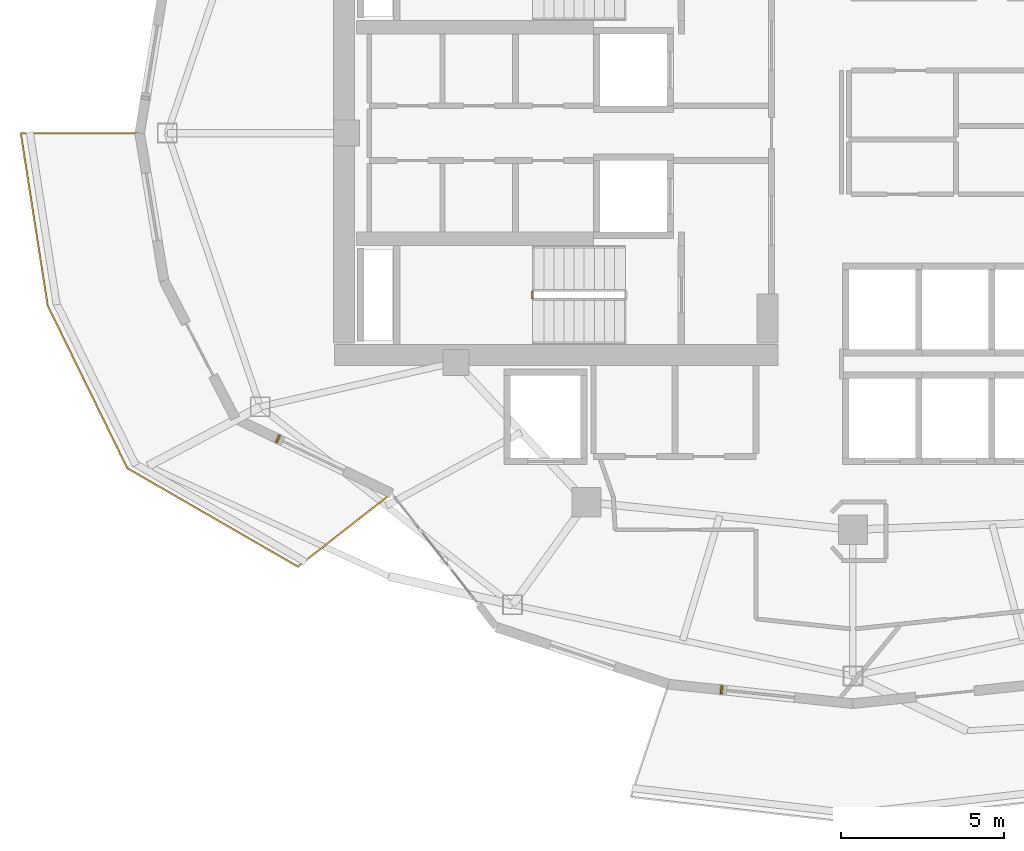
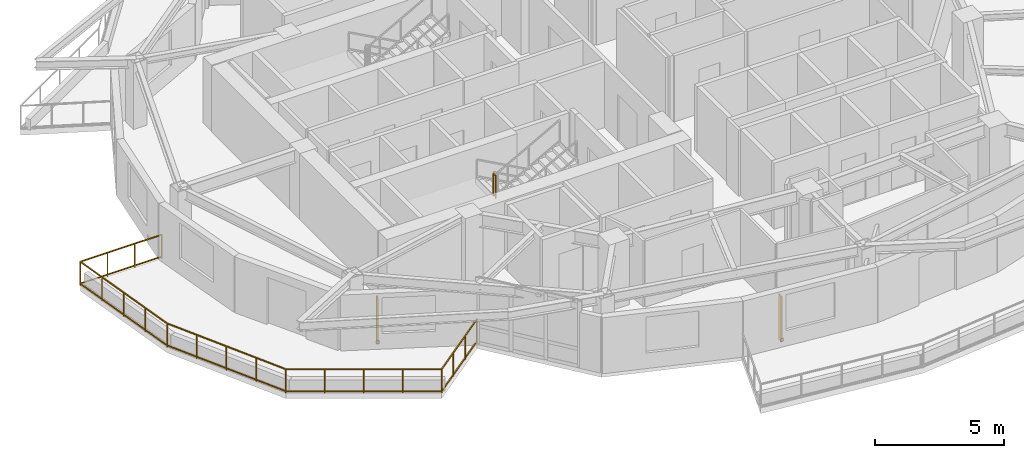
# One storey, part 15 of 18: 2 railings, 2 shading devices.
"""IFC4 building model written with IfcOpenShell, lengths in metres."""

from ifc_helpers import new_model, si_unit, direction, frame, origin, origin_2d, place, context, subcontext, project, spatial, rectangle, extrude, material, type_object, element, save


model = new_model("IFC4")

# Units and contexts
model_context = context("Model", 3, precision=1e-05, world=origin(), true_north=direction((0.0, 1.0)))
body_context = subcontext(model_context, "Body", "Model", "MODEL_VIEW")
ifc_project = project(units=[si_unit("LENGTHUNIT", "METRE"), si_unit("AREAUNIT", "SQUARE_METRE"), si_unit("VOLUMEUNIT", "CUBIC_METRE"), si_unit("PLANEANGLEUNIT", "RADIAN"), si_unit("MASSUNIT", "GRAM", prefix="KILO")], contexts=[model_context])

# Site, building, storey
site_placement = place(None, origin())
site = spatial("IfcSite", under=ifc_project, at=site_placement, CompositionType="ELEMENT")
building_placement = place(site_placement, origin())
building = spatial("IfcBuilding", under=site, at=building_placement, Name="Kolvaren Gate Tower and Convention Centre", CompositionType="ELEMENT")
storey_placement = place(building_placement, frame((0.0, 0.0, 176.699951171875)))
storey = spatial("IfcBuildingStorey", under=building, at=storey_placement, Name="L46", CompositionType="ELEMENT", Elevation=176.699951171875)

# Railings
ifc_material_1 = material(Name="Brushed Stainless Steel Grade 316L", Category="steel")
railing_type = type_object("IfcRailingType", Name="ARCH-RL-GUARD-1150", PredefinedType="GUARDRAIL", material=ifc_material_1)
railing_1_placement = place(storey_placement, frame((20.260009765625, 22.1201171875, 1.699951171875)))
element("IfcRailing", 1, at=railing_1_placement, inside=storey, type_object=railing_type, Name="L46 ST-T2 stair guard 2", PredefinedType="GUARDRAIL", context=body_context, shape_type="SweptSolid", body=[
    extrude(rectangle(XDim=0.048095703125, YDim=0.048095703125, at=origin_2d()), frame((0.0, 0.0, 1.076171875), z_axis=(0.0, -1.0, 0.0), x_axis=(1.0, 0.0, 0.0)), (0.0, 0.0, 1.0), 0.2001953125),
    extrude(rectangle(XDim=0.048095703125, YDim=0.048095703125, at=origin_2d()), frame((0.0, 0.0, 0.083984375), z_axis=(0.0, -1.0, 0.0), x_axis=(1.0, 0.0, 0.0)), (0.0, 0.0, 1.0), 0.2001953125),
    extrude(rectangle(XDim=0.0419921875, YDim=0.0419921875, at=origin_2d()), origin(), (0.0, 0.0, 1.0), 1.050048828125),
    extrude(rectangle(XDim=0.0419921875, YDim=0.0419921875, at=origin_2d()), frame((0.0, -0.2001953125, 0.0)), (0.0, 0.0, 1.0), 1.050048828125),
])
railing_2_placement = place(storey_placement, frame((8.1875, 27.0, 0.0)))
element("IfcRailing", 2, at=railing_2_placement, inside=storey, type_object=railing_type, Name="Tower L46 Terrace Perimeter Guardrail GR-2", PredefinedType="GUARDRAIL", context=body_context, shape_type="SweptSolid", body=[
    extrude(rectangle(XDim=0.048095703125, YDim=0.048095703125, at=origin_2d()), frame((-0.028076171875, 0.0, 1.1259765625), z_axis=(-1.0, 0.0, 0.0), x_axis=(0.0, -1.0, 0.0)), (0.0, 0.0, 1.0), 3.603759765625),
    extrude(rectangle(XDim=0.048095703125, YDim=0.048095703125, at=origin_2d()), frame((-0.028076171875, 0.0, 0.083984375), z_axis=(-1.0, 0.0, 0.0), x_axis=(0.0, -1.0, 0.0)), (0.0, 0.0, 1.0), 3.603759765625),
    extrude(rectangle(XDim=0.048095703125, YDim=0.048095703125, at=origin_2d()), frame((-3.655517578125, -0.02783203125, 1.1259765625), z_axis=(0.154200861408, -0.988039520637, 0.0), x_axis=(0.988039520637, 0.154200861408, 0.0)), (0.0, 0.0, 1.0), 5.3173828125),
    extrude(rectangle(XDim=0.048095703125, YDim=0.048095703125, at=origin_2d()), frame((-3.655517578125, -0.02783203125, 0.083984375), z_axis=(0.154200861408, -0.988039520637, 0.0), x_axis=(0.988039520637, 0.154200861408, 0.0)), (0.0, 0.0, 1.0), 5.3173828125),
    extrude(rectangle(XDim=0.048095703125, YDim=0.048095703125, at=origin_2d()), frame((-2.81884765625, -5.33447265625, 1.1259765625), z_axis=(0.439655234701, -0.898166618507, 0.0), x_axis=(0.898166618507, 0.439655234701, 0.0)), (0.0, 0.0, 1.0), 5.51123046875),
    extrude(rectangle(XDim=0.048095703125, YDim=0.048095703125, at=origin_2d()), frame((-2.81884765625, -5.33447265625, 0.083984375), z_axis=(0.439655234701, -0.898166618507, 0.0), x_axis=(0.898166618507, 0.439655234701, 0.0)), (0.0, 0.0, 1.0), 5.51123046875),
    extrude(rectangle(XDim=0.048095703125, YDim=0.048095703125, at=origin_2d()), frame((-0.359375, -10.32373046875, 1.1259765625), z_axis=(0.866075571306, -0.499913097234, 0.0), x_axis=(0.499913097234, 0.866075571306, 0.0)), (0.0, 0.0, 1.0), 6.004150390625),
    extrude(rectangle(XDim=0.048095703125, YDim=0.048095703125, at=origin_2d()), frame((-0.359375, -10.32373046875, 0.083984375), z_axis=(0.866075571306, -0.499913097234, 0.0), x_axis=(0.499913097234, 0.866075571306, 0.0)), (0.0, 0.0, 1.0), 6.004150390625),
    extrude(rectangle(XDim=0.048095703125, YDim=0.048095703125, at=origin_2d()), frame((4.88720703125, -13.322021484375, 1.1259765625), z_axis=(0.787988976981, 0.61568934712, 0.0), x_axis=(-0.61568934712, 0.787988976981, 0.0)), (0.0, 0.0, 1.0), 3.60400390625),
    extrude(rectangle(XDim=0.048095703125, YDim=0.048095703125, at=origin_2d()), frame((4.88720703125, -13.322021484375, 0.083984375), z_axis=(0.787988976981, 0.61568934712, 0.0), x_axis=(-0.61568934712, 0.787988976981, 0.0)), (0.0, 0.0, 1.0), 3.60400390625),
    extrude(rectangle(XDim=0.0419921875, YDim=0.0419921875, at=origin_2d()), origin(), (0.0, 0.0, 1.0), 1.14990234375),
    extrude(rectangle(XDim=0.0419921875, YDim=0.0419921875, at=origin_2d()), frame((-3.659912109375, 0.0, 0.0)), (0.0, 0.0, 1.0), 1.14990234375),
    extrude(rectangle(XDim=0.0419921875, YDim=0.0419921875, at=origin_2d()), frame((-1.219970703125, 0.0, 0.0)), (0.0, 0.0, 1.0), 1.099853515625),
    extrude(rectangle(XDim=0.0419921875, YDim=0.0419921875, at=origin_2d()), frame((-2.43994140625, 0.0, 0.0)), (0.0, 0.0, 1.0), 1.099853515625),
    extrude(rectangle(XDim=0.0419921875, YDim=0.0419921875, at=origin_2d()), frame((-2.831298828125, -5.309326171875, 0.0)), (0.0, 0.0, 1.0), 1.14990234375),
    extrude(rectangle(XDim=0.0419921875, YDim=0.0419921875, at=origin_2d()), frame((-3.45263671875, -1.327392578125, 0.0)), (0.0, 0.0, 1.0), 1.099853515625),
    extrude(rectangle(XDim=0.0419921875, YDim=0.0419921875, at=origin_2d()), frame((-3.24560546875, -2.65478515625, 0.0)), (0.0, 0.0, 1.0), 1.099853515625),
    extrude(rectangle(XDim=0.0419921875, YDim=0.0419921875, at=origin_2d()), frame((-3.03857421875, -3.98193359375, 0.0)), (0.0, 0.0, 1.0), 1.099853515625),
    extrude(rectangle(XDim=0.0419921875, YDim=0.0419921875, at=origin_2d()), frame((-0.383544921875, -10.309814453125, 0.0)), (0.0, 0.0, 1.0), 1.14990234375),
    extrude(rectangle(XDim=0.0419921875, YDim=0.0419921875, at=origin_2d()), frame((-2.21923828125, -6.5595703125, 0.0)), (0.0, 0.0, 1.0), 1.099853515625),
    extrude(rectangle(XDim=0.0419921875, YDim=0.0419921875, at=origin_2d()), frame((-1.607421875, -7.8095703125, 0.0)), (0.0, 0.0, 1.0), 1.099853515625),
    extrude(rectangle(XDim=0.0419921875, YDim=0.0419921875, at=origin_2d()), frame((-0.99560546875, -9.0595703125, 0.0)), (0.0, 0.0, 1.0), 1.099853515625),
    extrude(rectangle(XDim=0.0419921875, YDim=0.0419921875, at=origin_2d()), frame((4.864990234375, -13.33935546875, 0.0)), (0.0, 0.0, 1.0), 1.14990234375),
    extrude(rectangle(XDim=0.0419921875, YDim=0.0419921875, at=origin_2d()), frame((0.9287109375, -11.067138671875, 0.0)), (0.0, 0.0, 1.0), 1.099853515625),
    extrude(rectangle(XDim=0.0419921875, YDim=0.0419921875, at=origin_2d()), frame((2.24072265625, -11.82470703125, 0.0)), (0.0, 0.0, 1.0), 1.099853515625),
    extrude(rectangle(XDim=0.0419921875, YDim=0.0419921875, at=origin_2d()), frame((3.552734375, -12.58203125, 0.0)), (0.0, 0.0, 1.0), 1.099853515625),
    extrude(rectangle(XDim=0.0419921875, YDim=0.0419921875, at=origin_2d()), frame((7.7490234375, -11.0859375, 0.0)), (0.0, 0.0, 1.0), 1.14990234375),
    extrude(rectangle(XDim=0.0419921875, YDim=0.0419921875, at=origin_2d()), frame((5.826416015625, -12.588134765625, 0.0)), (0.0, 0.0, 1.0), 1.099853515625),
    extrude(rectangle(XDim=0.0419921875, YDim=0.0419921875, at=origin_2d()), frame((6.78759765625, -11.837158203125, 0.0)), (0.0, 0.0, 1.0), 1.099853515625),
])

# Shading devices
ifc_material_2 = material(Name="Kiln-Fired Bogota Terracotta Ceramic Louvre Profile", Category="masonry")
shading_device_type = type_object("IfcShadingDeviceType", Name="ARCH-SHD-FIN-180", PredefinedType="JALOUSIE", material=ifc_material_2)
for number, where, z_axis, x_axis, name in (
    (3, (12.44091796875, 17.593505859375, 0.22021484375), (0.0, 0.0, 1.0), (0.901358389955, -0.433073957723, 0.0), "Ceramic Vertical Brise-Soleil Fin FN-L46-14"),
    (4, (26.083251953125, 9.875732421875, 0.22021484375), (0.0, 0.0, 1.0), (0.994499249941, -0.104743696069, 0.0), "Ceramic Vertical Brise-Soleil Fin FN-L46-17"),
):
    element("IfcShadingDevice", number, at=place(storey_placement, frame(where, z_axis=z_axis, x_axis=x_axis)), inside=storey, type_object=shading_device_type, Name=name, PredefinedType="JALOUSIE", context=body_context, shape_type="SweptSolid", body=[
        extrude(rectangle(XDim=0.06005859375, YDim=0.239990234375, at=origin_2d()), origin(), (0.0, 0.0, 1.0), 2.14990234375),
    ])

save(model, "model.ifc")
